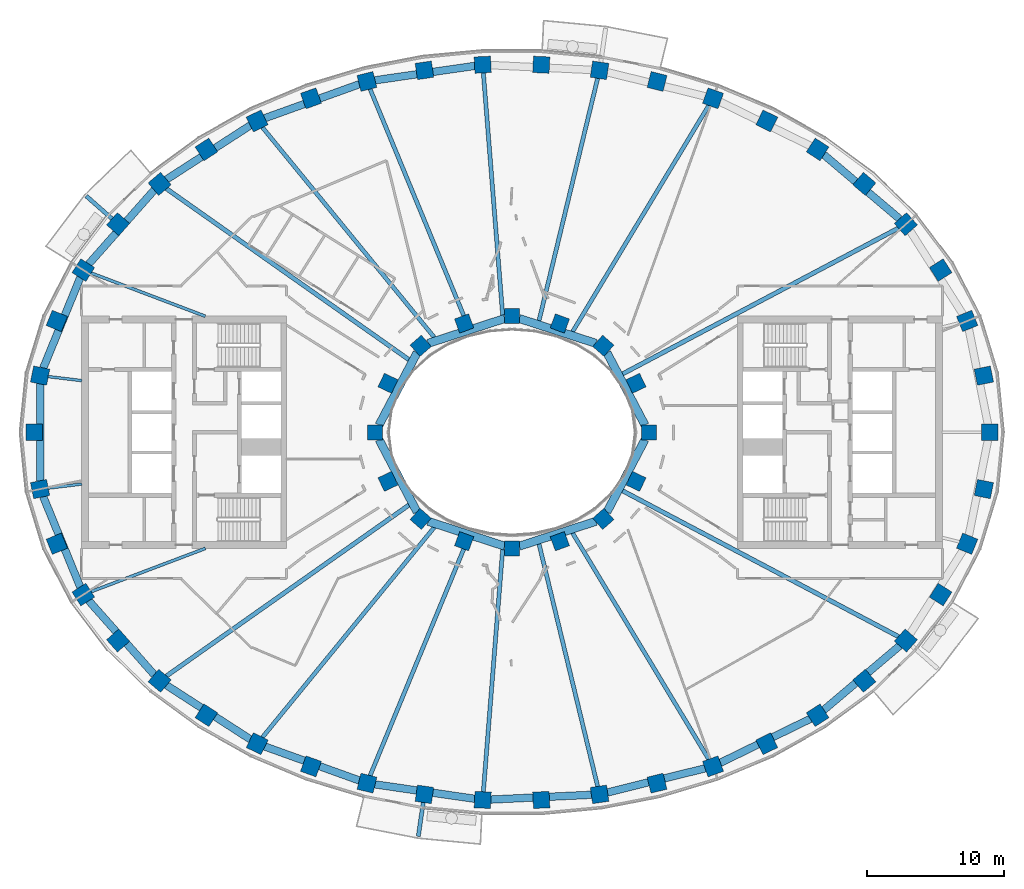
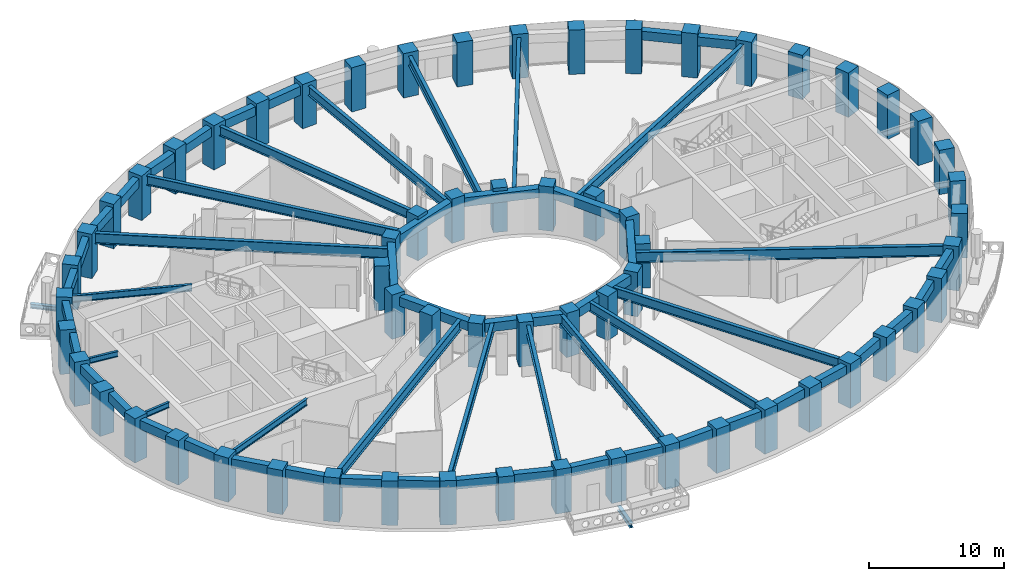
# One storey, part 1 of 16: 62 columns, 44 beams.
"""IFC4 building model written with IfcOpenShell, lengths in metres."""

import ifcopenshell
import ifcopenshell.guid

model = None  # the IFC model being written
_history = None  # IfcOwnerHistory: only IFC2X3 demands one
_inside = {}  # id of a spatial element -> (the spatial element, [elements in it])
_under = {}  # id of a project, library or spatial element -> (it, [spatial elements below it])
_declared = {}  # id of a project -> (the project, [libraries it declares])
_typed = {}  # id of a type object -> (the type object, [elements of that type])
_made_of = {}  # id of a material, layer set ... -> (it, [elements and type objects made of it])


def new_model(schema):
    """Start an empty IFC model of exactly this schema.

    Asked for "IFC4X3", IfcOpenShell would pick the latest addendum, in which some entities
    have other attributes; the version numbers below select the first issue.
    IFC2X3 requires an IfcOwnerHistory on every rooted entity: one is made here for all.
    """
    global model, _history
    if schema == "IFC4X3":
        model = ifcopenshell.file(schema_version=(4, 3, 0, 0))
    else:
        model = ifcopenshell.file(schema=schema)
    _inside.clear()
    _under.clear()
    _declared.clear()
    _typed.clear()
    _made_of.clear()
    _history = None
    if model.schema == "IFC2X3":
        org = make("IfcOrganization", Name="unknown")
        user = make(
            "IfcPersonAndOrganization",
            ThePerson=make("IfcPerson", FamilyName="unknown"),
            TheOrganization=org,
        )
        app = make(
            "IfcApplication",
            ApplicationDeveloper=org,
            Version="unknown",
            ApplicationFullName="unknown",
            ApplicationIdentifier="unknown",
        )
        _history = make(
            "IfcOwnerHistory",
            OwningUser=user,
            OwningApplication=app,
            ChangeAction="ADDED",
            CreationDate=0,
        )
    return model


def make(cls, **values):
    """One entity of the class cls with the attributes given. An attribute that is None is left unset."""
    return model.create_entity(
        cls, **{name: value for name, value in values.items() if value is not None}
    )


def rooted(cls, **values):
    """An entity with a GlobalId (a new one), such as an element, a storey or a relation."""
    return make(cls, GlobalId=ifcopenshell.guid.new(), OwnerHistory=_history, **values)


def si_unit(unit_type, name, prefix=None):
    """IfcSIUnit, for example si_unit("LENGTHUNIT", "METRE", prefix="MILLI")."""
    return make("IfcSIUnit", UnitType=unit_type, Prefix=prefix, Name=name)


def assignment(units):
    """IfcUnitAssignment: the units of a project."""
    return None if units is None else make("IfcUnitAssignment", Units=units)


def point(xyz):
    """IfcCartesianPoint."""
    return None if xyz is None else make("IfcCartesianPoint", Coordinates=xyz)


def direction(xyz):
    """IfcDirection."""
    return None if xyz is None else make("IfcDirection", DirectionRatios=xyz)


def frame(location, z_axis=None, x_axis=None):
    """IfcAxis2Placement3D, a coordinate frame: its origin and axes. An axis left out is left unset."""
    return make(
        "IfcAxis2Placement3D",
        Location=point(location),
        Axis=direction(z_axis),
        RefDirection=direction(x_axis),
    )


def frame_2d(location, x_axis=None):
    """IfcAxis2Placement2D, a coordinate frame in the plane: its origin and x axis."""
    return make(
        "IfcAxis2Placement2D", Location=point(location), RefDirection=direction(x_axis)
    )


def origin():
    """The frame at (0, 0, 0) with its axes left unset."""
    return frame((0.0, 0.0, 0.0))


def origin_2d():
    """The frame at (0, 0) in the plane with its x axis left unset."""
    return frame_2d((0.0, 0.0))


def place(relative_to, where):
    """IfcLocalPlacement: puts the frame where relative to a parent placement (None: the world)."""
    return make(
        "IfcLocalPlacement", PlacementRelTo=relative_to, RelativePlacement=where
    )


def context(
    kind, dimensions, precision=None, world=None, true_north=None, identifier=None
):
    """IfcGeometricRepresentationContext, for example the 3D "Model" context."""
    return make(
        "IfcGeometricRepresentationContext",
        ContextIdentifier=identifier,
        ContextType=kind,
        CoordinateSpaceDimension=dimensions,
        Precision=precision,
        WorldCoordinateSystem=world,
        TrueNorth=true_north,
    )


def subcontext(parent, identifier, kind, view, scale=None):
    """IfcGeometricRepresentationSubContext, for example "Body" below "Model"."""
    return make(
        "IfcGeometricRepresentationSubContext",
        ContextIdentifier=identifier,
        ContextType=kind,
        ParentContext=parent,
        TargetScale=scale,
        TargetView=view,
    )


def project(units=None, contexts=None):
    """IfcProject with its units and contexts."""
    return rooted(
        "IfcProject",
        Name="project",
        RepresentationContexts=contexts,
        UnitsInContext=assignment(units),
    )


def spatial(cls, under=None, at=None, **own):
    """A site, building, storey or space (cls), placed at a placement, below another one or the project."""
    s = rooted(cls, ObjectPlacement=at, **own)
    if under is not None:
        _under.setdefault(under.id(), (under, []))[1].append(s)
    return s


def profile(cls, at=None, kind="AREA", **sizes):
    """A parametric profile (cls). Its sizes go by their IFC names, for example OverallWidth=200.0."""
    return make(cls, ProfileType=kind, Position=at, **sizes)


def rectangle(**sizes):
    """IfcRectangleProfileDef."""
    return profile("IfcRectangleProfileDef", **sizes)


def i_section(**sizes):
    """IfcIShapeProfileDef."""
    return profile("IfcIShapeProfileDef", **sizes)


def extrude(swept, where, along, depth):
    """IfcExtrudedAreaSolid: the profile swept, set in the frame where, extruded along a direction by depth."""
    return make(
        "IfcExtrudedAreaSolid",
        SweptArea=swept,
        Position=where,
        ExtrudedDirection=direction(along),
        Depth=depth,
    )


def shape(context_of_items, identifier, shape_type, items):
    """IfcShapeRepresentation: the items that make up one representation, for example the "Body"."""
    return make(
        "IfcShapeRepresentation",
        ContextOfItems=context_of_items,
        RepresentationIdentifier=identifier,
        RepresentationType=shape_type,
        Items=items,
    )


def material(Name=None, Category=None):
    """IfcMaterial."""
    return make("IfcMaterial", Name=Name, Category=Category)


def material_profile(
    of_material, cross_section, Name=None, Category=None, Priority=None
):
    """IfcMaterialProfile: a cross section and its material."""
    return make(
        "IfcMaterialProfile",
        Name=Name,
        Material=of_material,
        Profile=cross_section,
        Priority=Priority,
        Category=Category,
    )


def profile_set(profiles, Name=None, composite=None):
    """IfcMaterialProfileSet."""
    return make(
        "IfcMaterialProfileSet",
        Name=Name,
        MaterialProfiles=profiles,
        CompositeProfile=composite,
    )


def made_of(thing, what):
    """Note that an element or type object is made of a material, layer set ...; save() writes the relation."""
    if what is not None:
        _made_of.setdefault(what.id(), (what, []))[1].append(thing)
    return thing


def type_object(cls, material=None, **own):
    """A type object (cls), such as IfcWallType, which elements share."""
    return made_of(rooted(cls, **own), material)


def element(
    cls,
    number,
    at=None,
    inside=None,
    cuts=None,
    type_object=None,
    material=None,
    context=None,
    identifier="Body",
    shape_type=None,
    held_by="IfcProductDefinitionShape",
    body=None,
    shapes=None,
    **own,
):
    """One element of the class cls, such as IfcWall. Its Tag is "e" and its number.

    at: its placement. inside: the storey or other place that contains it. cuts: it is an
    opening in that element (IfcRelVoidsElement). A single representation is given by context,
    identifier, shape_type and body (its items); several are given by shapes. held_by: the class
    of the entity that holds the representations. save() writes the other relations.
    """
    e = rooted(cls, Tag="e%d" % number, ObjectPlacement=at, **own)
    if body is not None:
        shapes = [shape(context, identifier, shape_type, body)]
    if shapes is not None:
        e.Representation = make(held_by, Representations=shapes)
    if inside is not None:
        _inside.setdefault(inside.id(), (inside, []))[1].append(e)
    if cuts is not None:
        rooted(
            "IfcRelVoidsElement", RelatingBuildingElement=cuts, RelatedOpeningElement=e
        )
    if type_object is not None:
        _typed.setdefault(type_object.id(), (type_object, []))[1].append(e)
    return made_of(e, material)


def aggregate(whole, parts):
    """IfcRelAggregates: a whole, such as a stair, and the parts it consists of."""
    return rooted("IfcRelAggregates", RelatingObject=whole, RelatedObjects=parts)


def save(model, path):
    """Write the relations noted so far, then the file.

    IfcRelAggregates (storeys below a building ...), IfcRelContainedInSpatialStructure (elements
    in a storey), IfcRelDefinesByType, IfcRelAssociatesMaterial and IfcRelDeclares: one each for
    every whole, place, type object, material and project.
    """
    for whole, parts in _under.values():
        aggregate(whole, parts)
    for where, things in _inside.values():
        rooted(
            "IfcRelContainedInSpatialStructure",
            RelatedElements=things,
            RelatingStructure=where,
        )
    for kind, things in _typed.values():
        rooted("IfcRelDefinesByType", RelatedObjects=things, RelatingType=kind)
    for what, things in _made_of.values():
        rooted("IfcRelAssociatesMaterial", RelatedObjects=things, RelatingMaterial=what)
    for by, libraries in _declared.values():
        rooted("IfcRelDeclares", RelatingContext=by, RelatedDefinitions=libraries)
    model.write(path)


model = new_model("IFC4")

# Units and contexts
model_context = context("Model", 3, precision=1e-05, world=origin(), true_north=direction((0.0, 1.0)))
body_context = subcontext(model_context, "Body", "Model", "MODEL_VIEW")
ifc_project = project(units=[si_unit("LENGTHUNIT", "METRE"), si_unit("AREAUNIT", "SQUARE_METRE"), si_unit("VOLUMEUNIT", "CUBIC_METRE"), si_unit("PLANEANGLEUNIT", "RADIAN"), si_unit("MASSUNIT", "GRAM", prefix="KILO")], contexts=[model_context])

# Site, building, storey
site_placement = place(None, origin())
site = spatial("IfcSite", under=ifc_project, at=site_placement, CompositionType="ELEMENT")
building_placement = place(site_placement, origin())
building = spatial("IfcBuilding", under=site, at=building_placement, Name="Noorbagh Ring Tower", CompositionType="ELEMENT")
storey_placement = place(building_placement, frame((0.0, 0.0, 154.0)))
storey = spatial("IfcBuildingStorey", under=building, at=storey_placement, Name="L35", CompositionType="ELEMENT", Elevation=154.0)

# Columns
ifc_material_1 = material(Name="Concrete C60/75", Category="concrete")
ifc_material_profile_1 = material_profile(ifc_material_1, rectangle(XDim=1.199951171875, YDim=1.199951171875, at=origin_2d()), Name="RC1200x1200")
ifc_profile_set_1 = profile_set([ifc_material_profile_1], Name="Concrete C60/75")
column_type_1 = type_object("IfcColumnType", Name="STR-COL-RC1200x1200-C60-75", PredefinedType="COLUMN", material=ifc_profile_set_1)
for number, where, z_axis, x_axis, name in (
    (1, (34.944580078125, 0.0, 0.0), (0.0, 0.0, 1.0), (0.0, 1.0, 0.0), "L35/col/R1-01"),
    (2, (34.52685546875, 4.150634765625, 0.0), (0.0, 0.0, 1.0), (-0.19723040178, 0.9803571638, 0.0), "L35/col/R1-02"),
    (3, (33.30517578125, 8.1494140625, 0.0), (0.0, 0.0, 1.0), (-0.378989499959, 0.925400971969, 0.0), "L35/col/R1-03"),
    (4, (31.364990234375, 11.87109375, 0.0), (0.0, 0.0, 1.0), (-0.535190403059, 0.844731455833, 0.0), "L35/col/R1-04"),
    (5, (28.81884765625, 15.23046875, 0.0), (0.0, 0.0, 1.0), (-0.662635642662, 0.748941923699, 0.0), "L35/col/R1-05"),
    (6, (25.78271484375, 18.180419921875, 0.0), (0.0, 0.0, 1.0), (-0.763035199656, 0.646356932419, 0.0), "L35/col/R1-06"),
    (7, (22.362060546875, 20.699951171875, 0.0), (0.0, 0.0, 1.0), (-0.840247639643, 0.542202825586, 0.0), "L35/col/R1-07"),
    (8, (18.646240234375, 22.785400390625, 0.0), (0.0, 0.0, 1.0), (-0.898399080868, 0.439180021741, 0.0), "L35/col/R1-08"),
    (9, (14.70947265625, 24.44091796875, 0.0), (0.0, 0.0, 1.0), (-0.941024726094, 0.338337797003, 0.0), "L35/col/R1-09"),
    (10, (10.61328125, 25.673583984375, 0.0), (0.0, 0.0, 1.0), (-0.970829360981, 0.239771457553, 0.0), "L35/col/R1-10"),
    (11, (6.4091796875, 26.49072265625, 0.0), (0.0, 0.0, 1.0), (-0.989713114048, 0.143066249975, 0.0), "L35/col/R1-11"),
    (12, (2.14306640625, 26.89794921875, 0.0), (0.0, 0.0, 1.0), (-0.998868731212, 0.047552684538, 0.0), "L35/col/R1-12"),
    (13, (-2.14306640625, 26.89794921875, 0.0), (0.0, 0.0, 1.0), (-0.998868731212, -0.047552684538, 0.0), "L35/col/R1-13"),
    (14, (-6.4091796875, 26.49072265625, 0.0), (0.0, 0.0, 1.0), (-0.989713114048, -0.143066249975, 0.0), "L35/col/R1-14"),
    (15, (-10.61328125, 25.673583984375, 0.0), (0.0, 0.0, 1.0), (-0.970829360981, -0.239771457553, 0.0), "L35/col/R1-15"),
    (16, (-14.70947265625, 24.44091796875, 0.0), (0.0, 0.0, 1.0), (-0.941024726094, -0.338337797003, 0.0), "L35/col/R1-16"),
    (17, (-18.646240234375, 22.785400390625, 0.0), (0.0, 0.0, 1.0), (-0.898399080868, -0.439180021741, 0.0), "L35/col/R1-17"),
    (18, (-22.362060546875, 20.699951171875, 0.0), (0.0, 0.0, 1.0), (-0.840247639643, -0.542202825586, 0.0), "L35/col/R1-18"),
    (19, (-25.78271484375, 18.180419921875, 0.0), (0.0, 0.0, 1.0), (-0.763035199656, -0.646356932419, 0.0), "L35/col/R1-19"),
    (20, (-28.81884765625, 15.23046875, 0.0), (0.0, 0.0, 1.0), (-0.662635642662, -0.748941923699, 0.0), "L35/col/R1-20"),
    (21, (-31.364990234375, 11.87109375, 0.0), (0.0, 0.0, 1.0), (-0.535190403059, -0.844731455833, 0.0), "L35/col/R1-21"),
    (22, (-33.30517578125, 8.1494140625, 0.0), (0.0, 0.0, 1.0), (-0.378989499959, -0.925400971969, 0.0), "L35/col/R1-22"),
    (23, (-34.52685546875, 4.150634765625, 0.0), (0.0, 0.0, 1.0), (-0.19723040178, -0.9803571638, 0.0), "L35/col/R1-23"),
    (24, (-34.944580078125, 0.0, 0.0), (0.0, 0.0, 1.0), (0.0, -1.0, 0.0), "L35/col/R1-24"),
    (25, (-34.52685546875, -4.150634765625, 0.0), (0.0, 0.0, 1.0), (0.19723040178, -0.9803571638, 0.0), "L35/col/R1-25"),
    (26, (-33.30517578125, -8.1494140625, 0.0), (0.0, 0.0, 1.0), (0.378989499959, -0.925400971969, 0.0), "L35/col/R1-26"),
    (27, (-31.364990234375, -11.87109375, 0.0), (0.0, 0.0, 1.0), (0.535190403059, -0.844731455833, 0.0), "L35/col/R1-27"),
    (28, (-28.81884765625, -15.23046875, 0.0), (0.0, 0.0, 1.0), (0.662635642662, -0.748941923699, 0.0), "L35/col/R1-28"),
    (29, (-25.78271484375, -18.180419921875, 0.0), (0.0, 0.0, 1.0), (0.763035199656, -0.646356932419, 0.0), "L35/col/R1-29"),
    (30, (-22.362060546875, -20.699951171875, 0.0), (0.0, 0.0, 1.0), (0.840247639643, -0.542202825586, 0.0), "L35/col/R1-30"),
    (31, (-18.646240234375, -22.785400390625, 0.0), (0.0, 0.0, 1.0), (0.898399080868, -0.439180021741, 0.0), "L35/col/R1-31"),
    (32, (-14.70947265625, -24.44091796875, 0.0), (0.0, 0.0, 1.0), (0.941024726094, -0.338337797003, 0.0), "L35/col/R1-32"),
    (33, (-10.61328125, -25.673583984375, 0.0), (0.0, 0.0, 1.0), (0.970829360981, -0.239771457553, 0.0), "L35/col/R1-33"),
    (34, (-6.4091796875, -26.49072265625, 0.0), (0.0, 0.0, 1.0), (0.989713114048, -0.143066249975, 0.0), "L35/col/R1-34"),
    (35, (-2.14306640625, -26.89794921875, 0.0), (0.0, 0.0, 1.0), (0.998868731212, -0.047552684538, 0.0), "L35/col/R1-35"),
    (36, (2.14306640625, -26.89794921875, 0.0), (0.0, 0.0, 1.0), (0.998868731212, 0.047552684538, 0.0), "L35/col/R1-36"),
    (37, (6.4091796875, -26.49072265625, 0.0), (0.0, 0.0, 1.0), (0.989713114048, 0.143066249975, 0.0), "L35/col/R1-37"),
    (38, (10.61328125, -25.673583984375, 0.0), (0.0, 0.0, 1.0), (0.970829360981, 0.239771457553, 0.0), "L35/col/R1-38"),
    (39, (14.70947265625, -24.44091796875, 0.0), (0.0, 0.0, 1.0), (0.941024726094, 0.338337797003, 0.0), "L35/col/R1-39"),
    (40, (18.646240234375, -22.785400390625, 0.0), (0.0, 0.0, 1.0), (0.898399080868, 0.439180021741, 0.0), "L35/col/R1-40"),
    (41, (22.362060546875, -20.699951171875, 0.0), (0.0, 0.0, 1.0), (0.840247639643, 0.542202825586, 0.0), "L35/col/R1-41"),
    (42, (25.78271484375, -18.180419921875, 0.0), (0.0, 0.0, 1.0), (0.763035199656, 0.646356932419, 0.0), "L35/col/R1-42"),
    (43, (28.81884765625, -15.23046875, 0.0), (0.0, 0.0, 1.0), (0.662635642662, 0.748941923699, 0.0), "L35/col/R1-43"),
    (44, (31.364990234375, -11.87109375, 0.0), (0.0, 0.0, 1.0), (0.535190403059, 0.844731455833, 0.0), "L35/col/R1-44"),
    (45, (33.30517578125, -8.1494140625, 0.0), (0.0, 0.0, 1.0), (0.378989499959, 0.925400971969, 0.0), "L35/col/R1-45"),
    (46, (34.52685546875, -4.150634765625, 0.0), (0.0, 0.0, 1.0), (0.19723040178, 0.9803571638, 0.0), "L35/col/R1-46"),
):
    element("IfcColumn", number, at=place(storey_placement, frame(where, z_axis=z_axis, x_axis=x_axis)), inside=storey, type_object=column_type_1, Name=name, PredefinedType="COLUMN", context=body_context, shape_type="SweptSolid", body=[
        extrude(rectangle(XDim=1.199951171875, YDim=1.199951171875, at=origin_2d()), origin(), (0.0, 0.0, 1.0), 4.0),
    ])
ifc_material_2 = material(Name="Concrete C60/75", Category="concrete")
ifc_material_profile_2 = material_profile(ifc_material_2, rectangle(XDim=1.10009765625, YDim=1.10009765625, at=origin_2d()), Name="RC1100x1100")
ifc_profile_set_2 = profile_set([ifc_material_profile_2], Name="Concrete C60/75")
column_type_2 = type_object("IfcColumnType", Name="STR-ICOL-RC1100x1100-C60-75", PredefinedType="COLUMN", material=ifc_profile_set_2)
for number, where, z_axis, x_axis, name in (
    (47, (10.00830078125, 0.0, 0.0), (0.0, 0.0, 1.0), (0.0, 1.0, 0.0), "L35/col/IR2-W01"),
    (48, (9.07568359375, 3.58837890625, 0.0), (0.0, 0.0, 1.0), (-0.428666979171, 0.903462573087, 0.0), "L35/col/IR2-W03"),
    (49, (6.68212890625, 6.333740234375, 0.0), (0.0, 0.0, 1.0), (-0.75102249095, 0.660276622399, 0.0), "L35/col/IR2-W05"),
    (50, (3.5009765625, 7.967041015625, 0.0), (0.0, 0.0, 1.0), (-0.939019578916, 0.343863679984, 0.0), "L35/col/IR2-W07"),
    (51, (0.0, 8.5029296875, 0.0), (0.0, 0.0, 1.0), (-1.0, 0.0, 0.0), "L35/col/IR2-W09"),
    (52, (-3.5009765625, 7.967041015625, 0.0), (0.0, 0.0, 1.0), (-0.939019578916, -0.343863679984, 0.0), "L35/col/IR2-W11"),
    (53, (-6.68212890625, 6.333740234375, 0.0), (0.0, 0.0, 1.0), (-0.75102249095, -0.660276622399, 0.0), "L35/col/IR2-W13"),
    (54, (-9.07568359375, 3.58837890625, 0.0), (0.0, 0.0, 1.0), (-0.428666979171, -0.903462573087, 0.0), "L35/col/IR2-W15"),
    (55, (-10.00830078125, 0.0, 0.0), (0.0, 0.0, 1.0), (0.0, -1.0, 0.0), "L35/col/IR2-W17"),
    (56, (-9.07568359375, -3.58837890625, 0.0), (0.0, 0.0, 1.0), (0.428666979171, -0.903462573087, 0.0), "L35/col/IR2-W19"),
    (57, (-6.68212890625, -6.333740234375, 0.0), (0.0, 0.0, 1.0), (0.75102249095, -0.660276622399, 0.0), "L35/col/IR2-W21"),
    (58, (-3.5009765625, -7.967041015625, 0.0), (0.0, 0.0, 1.0), (0.939019578916, -0.343863679984, 0.0), "L35/col/IR2-W23"),
    (59, (0.0, -8.5029296875, 0.0), (0.0, 0.0, 1.0), (1.0, 0.0, 0.0), "L35/col/IR2-W25"),
    (60, (3.5009765625, -7.967041015625, 0.0), (0.0, 0.0, 1.0), (0.939019578916, 0.343863679984, 0.0), "L35/col/IR2-W27"),
    (61, (6.68212890625, -6.333740234375, 0.0), (0.0, 0.0, 1.0), (0.75102249095, 0.660276622399, 0.0), "L35/col/IR2-W29"),
    (62, (9.07568359375, -3.58837890625, 0.0), (0.0, 0.0, 1.0), (0.428666979171, 0.903462573087, 0.0), "L35/col/IR2-W31"),
):
    element("IfcColumn", number, at=place(storey_placement, frame(where, z_axis=z_axis, x_axis=x_axis)), inside=storey, type_object=column_type_2, Name=name, PredefinedType="COLUMN", context=body_context, shape_type="SweptSolid", body=[
        extrude(rectangle(XDim=1.10009765625, YDim=1.10009765625, at=origin_2d()), origin(), (0.0, 0.0, 1.0), 4.0),
    ])

# Beams
ifc_material_3 = material(Name="Steel S355", Category="steel")
ifc_material_profile_3 = material_profile(ifc_material_3, i_section(OverallWidth=0.300048828125, OverallDepth=0.39990234375, WebThickness=0.013427734375, FlangeThickness=0.02392578125, FilletRadius=0.027099609375, at=origin_2d()), Name="HEB400")
ifc_profile_set_3 = profile_set([ifc_material_profile_3], Name="Steel S355")
beam_type_1 = type_object("IfcBeamType", Name="STR-BALCONY-BRACKET-HEB400", PredefinedType="BEAM", material=ifc_profile_set_3)
beam_1_placement = place(storey_placement, frame((-29.253173828125, 15.61474609375, -0.5), z_axis=(-0.749068405178, 0.662492659856, 0.0), x_axis=(-0.662492659856, -0.749068405178, 0.0)))
element("IfcBeam", 63, at=beam_1_placement, inside=storey, type_object=beam_type_1, Name="Balcony bracket beam BN06", PredefinedType="BEAM", context=body_context, shape_type="SweptSolid", body=[
    extrude(i_section(OverallWidth=0.300048828125, OverallDepth=0.39990234375, WebThickness=0.013427734375, FlangeThickness=0.02392578125, FilletRadius=0.027099609375, at=origin_2d()), origin(), (0.0, 0.0, 1.0), 2.529541015625),
])
beam_2_placement = place(storey_placement, frame((-6.4921875, -27.06494140625, -0.5), z_axis=(-0.143073420259, -0.989712077533, 0.0), x_axis=(0.989712077533, -0.143073420259, 0.0)))
element("IfcBeam", 64, at=beam_2_placement, inside=storey, type_object=beam_type_1, Name="Balcony bracket beam BS03", PredefinedType="BEAM", context=body_context, shape_type="SweptSolid", body=[
    extrude(i_section(OverallWidth=0.300048828125, OverallDepth=0.39990234375, WebThickness=0.013427734375, FlangeThickness=0.02392578125, FilletRadius=0.027099609375, at=origin_2d()), origin(), (0.0, 0.0, 1.0), 2.523681640625),
])
ifc_material_4 = material(Name="Steel S355", Category="steel")
ifc_material_profile_4 = material_profile(ifc_material_4, i_section(OverallWidth=0.199951171875, OverallDepth=0.5, WebThickness=0.01025390625, FlangeThickness=0.01611328125, FilletRadius=0.02099609375, at=origin_2d()), Name="IPE500")
ifc_profile_set_4 = profile_set([ifc_material_profile_4], Name="Steel S355")
beam_type_2 = type_object("IfcBeamType", Name="STR-RAD-IPE500", PredefinedType="BEAM", material=ifc_profile_set_4)
for number, where, z_axis, x_axis, name in (
    (65, (-33.948974609375, 4.081298828125, 3.449951171875), (0.992847073299, -0.119393002485, 0.0), (0.119393002485, 0.992847073299, 0.0), "L35/bm/RD23"),
    (66, (-33.948974609375, -4.081298828125, 3.449951171875), (0.992847073299, 0.119393002485, 0.0), (-0.119393002485, 0.992847073299, 0.0), "L35/bm/RD25"),
):
    element("IfcBeam", number, at=place(storey_placement, frame(where, z_axis=z_axis, x_axis=x_axis)), inside=storey, type_object=beam_type_2, Name=name, PredefinedType="BEAM", context=body_context, shape_type="SweptSolid", body=[
        extrude(i_section(OverallWidth=0.199951171875, OverallDepth=0.5, WebThickness=0.01025390625, FlangeThickness=0.01611328125, FilletRadius=0.02099609375, at=origin_2d()), origin(), (0.0, 0.0, 1.0), 2.486572265625),
    ])
ifc_material_5 = material(Name="Steel S355", Category="steel")
ifc_material_profile_5 = material_profile(ifc_material_5, i_section(OverallWidth=0.219970703125, OverallDepth=0.60009765625, WebThickness=0.011962890625, FlangeThickness=0.01904296875, FilletRadius=0.02392578125, at=origin_2d()), Name="IPE600")
ifc_profile_set_5 = profile_set([ifc_material_profile_5], Name="Steel S355")
beam_type_3 = type_object("IfcBeamType", Name="STR-RAD-IPE600", PredefinedType="BEAM", material=ifc_profile_set_5)
for number, where, z_axis, x_axis, name in (
    (67, (-30.810791015625, 11.6611328125, 3.39990234375), (0.935257705558, -0.35396754681, 0.0), (0.35396754681, 0.935257705558, 0.0), "L35/bm/RD21"),
    (68, (-30.810791015625, -11.6611328125, 3.39990234375), (0.935257705558, 0.35396754681, 0.0), (-0.35396754681, 0.935257705558, 0.0), "L35/bm/RD27"),
):
    element("IfcBeam", number, at=place(storey_placement, frame(where, z_axis=z_axis, x_axis=x_axis)), inside=storey, type_object=beam_type_3, Name=name, PredefinedType="BEAM", context=body_context, shape_type="SweptSolid", body=[
        extrude(i_section(OverallWidth=0.219970703125, OverallDepth=0.60009765625, WebThickness=0.011962890625, FlangeThickness=0.01904296875, FilletRadius=0.02392578125, at=origin_2d()), origin(), (0.0, 0.0, 1.0), 8.95068359375),
    ])
ifc_material_6 = material(Name="Steel S355", Category="steel")
ifc_material_profile_6 = material_profile(ifc_material_6, i_section(OverallWidth=0.300048828125, OverallDepth=0.85009765625, WebThickness=0.013916015625, FlangeThickness=0.028076171875, at=origin_2d()), Name="PG850x300x14x28")
ifc_profile_set_6 = profile_set([ifc_material_profile_6], Name="Steel S355")
beam_type_4 = type_object("IfcBeamType", Name="STR-RAD-PG850x300x14x28", PredefinedType="BEAM", material=ifc_profile_set_6)
beam_3_placement = place(storey_placement, frame((14.404296875, 23.933837890625, 3.27490234375), z_axis=(-0.515653442321, -0.856797249892, 0.0), x_axis=(0.856797249892, -0.515653442321, 0.0)))
element("IfcBeam", 69, at=beam_3_placement, inside=storey, type_object=beam_type_4, Name="L35/bm/RD09", PredefinedType="BEAM", context=body_context, shape_type="SweptSolid", body=[
    extrude(i_section(OverallWidth=0.300048828125, OverallDepth=0.85009765625, WebThickness=0.013916015625, FlangeThickness=0.028076171875, at=origin_2d()), origin(), (0.0, 0.0, 1.0), 19.343994140625),
])
beam_4_placement = place(storey_placement, frame((6.272216796875, 25.924560546875, 3.27490234375), z_axis=(-0.235159659646, -0.971956755455, 0.0), x_axis=(0.971956755455, -0.235159659646, 0.0)))
element("IfcBeam", 70, at=beam_4_placement, inside=storey, type_object=beam_type_4, Name="L35/bm/RD11", PredefinedType="BEAM", context=body_context, shape_type="SweptSolid", body=[
    extrude(i_section(OverallWidth=0.300048828125, OverallDepth=0.85009765625, WebThickness=0.013916015625, FlangeThickness=0.028076171875, at=origin_2d()), origin(), (0.0, 0.0, 1.0), 18.280517578125),
])
beam_5_placement = place(storey_placement, frame((-2.09716796875, 26.319580078125, 3.27490234375), z_axis=(0.079428488964, -0.996840566561, 0.0), x_axis=(0.996840566561, 0.079428488964, 0.0)))
element("IfcBeam", 71, at=beam_5_placement, inside=storey, type_object=beam_type_4, Name="L35/bm/RD13", PredefinedType="BEAM", context=body_context, shape_type="SweptSolid", body=[
    extrude(i_section(OverallWidth=0.300048828125, OverallDepth=0.85009765625, WebThickness=0.013916015625, FlangeThickness=0.028076171875, at=origin_2d()), origin(), (0.0, 0.0, 1.0), 17.7998046875),
])
beam_6_placement = place(storey_placement, frame((-10.388916015625, 25.13134765625, 3.27490234375), z_axis=(0.382025650428, -0.924151720452, 0.0), x_axis=(0.924151720452, 0.382025650428, 0.0)))
element("IfcBeam", 72, at=beam_6_placement, inside=storey, type_object=beam_type_4, Name="L35/bm/RD15", PredefinedType="BEAM", context=body_context, shape_type="SweptSolid", body=[
    extrude(i_section(OverallWidth=0.300048828125, OverallDepth=0.85009765625, WebThickness=0.013916015625, FlangeThickness=0.028076171875, at=origin_2d()), origin(), (0.0, 0.0, 1.0), 18.80078125),
])
for number, where, z_axis, x_axis, name in (
    (73, (-18.2685546875, 22.32373046875, 3.27490234375), (0.633310075039, -0.773898151474, 0.0), (0.773898151474, 0.633310075039, 0.0), "L35/bm/RD17"),
    (74, (-18.2685546875, -22.32373046875, 3.27490234375), (0.633310075039, 0.773898151474, 0.0), (-0.773898151474, 0.633310075039, 0.0), "L35/bm/RD31"),
):
    element("IfcBeam", number, at=place(storey_placement, frame(where, z_axis=z_axis, x_axis=x_axis)), inside=storey, type_object=beam_type_4, Name=name, PredefinedType="BEAM", context=body_context, shape_type="SweptSolid", body=[
        extrude(i_section(OverallWidth=0.300048828125, OverallDepth=0.85009765625, WebThickness=0.013916015625, FlangeThickness=0.028076171875, at=origin_2d()), origin(), (0.0, 0.0, 1.0), 19.86279296875),
    ])
beam_7_placement = place(storey_placement, frame((-10.388916015625, -25.13134765625, 3.27490234375), z_axis=(0.382025650428, 0.924151720452, 0.0), x_axis=(-0.924151720452, 0.382025650428, 0.0)))
element("IfcBeam", 75, at=beam_7_placement, inside=storey, type_object=beam_type_4, Name="L35/bm/RD33", PredefinedType="BEAM", context=body_context, shape_type="SweptSolid", body=[
    extrude(i_section(OverallWidth=0.300048828125, OverallDepth=0.85009765625, WebThickness=0.013916015625, FlangeThickness=0.028076171875, at=origin_2d()), origin(), (0.0, 0.0, 1.0), 18.80078125),
])
beam_8_placement = place(storey_placement, frame((-2.09716796875, -26.319580078125, 3.27490234375), z_axis=(0.079428488964, 0.996840566561, 0.0), x_axis=(-0.996840566561, 0.079428488964, 0.0)))
element("IfcBeam", 76, at=beam_8_placement, inside=storey, type_object=beam_type_4, Name="L35/bm/RD35", PredefinedType="BEAM", context=body_context, shape_type="SweptSolid", body=[
    extrude(i_section(OverallWidth=0.300048828125, OverallDepth=0.85009765625, WebThickness=0.013916015625, FlangeThickness=0.028076171875, at=origin_2d()), origin(), (0.0, 0.0, 1.0), 17.7998046875),
])
beam_9_placement = place(storey_placement, frame((6.272216796875, -25.924560546875, 3.27490234375), z_axis=(-0.235159659646, 0.971956755455, 0.0), x_axis=(-0.971956755455, -0.235159659646, 0.0)))
element("IfcBeam", 77, at=beam_9_placement, inside=storey, type_object=beam_type_4, Name="L35/bm/RD37", PredefinedType="BEAM", context=body_context, shape_type="SweptSolid", body=[
    extrude(i_section(OverallWidth=0.300048828125, OverallDepth=0.85009765625, WebThickness=0.013916015625, FlangeThickness=0.028076171875, at=origin_2d()), origin(), (0.0, 0.0, 1.0), 18.280517578125),
])
beam_10_placement = place(storey_placement, frame((14.404296875, -23.933837890625, 3.27490234375), z_axis=(-0.515653442321, 0.856797249892, 0.0), x_axis=(-0.856797249892, -0.515653442321, 0.0)))
element("IfcBeam", 78, at=beam_10_placement, inside=storey, type_object=beam_type_4, Name="L35/bm/RD39", PredefinedType="BEAM", context=body_context, shape_type="SweptSolid", body=[
    extrude(i_section(OverallWidth=0.300048828125, OverallDepth=0.85009765625, WebThickness=0.013916015625, FlangeThickness=0.028076171875, at=origin_2d()), origin(), (0.0, 0.0, 1.0), 19.343994140625),
])
ifc_material_7 = material(Name="Steel S355", Category="steel")
ifc_material_profile_7 = material_profile(ifc_material_7, i_section(OverallWidth=0.320068359375, OverallDepth=0.949951171875, WebThickness=0.01611328125, FlangeThickness=0.030029296875, at=origin_2d()), Name="PG950x320x16x30")
ifc_profile_set_7 = profile_set([ifc_material_profile_7], Name="Steel S355")
beam_type_5 = type_object("IfcBeamType", Name="STR-RAD-PG950x320x16x30", PredefinedType="BEAM", material=ifc_profile_set_7)
beam_11_placement = place(storey_placement, frame((28.29052734375, 14.951416015625, 3.22509765625), z_axis=(-0.88411920944, -0.467261408099, 0.0), x_axis=(0.467261408099, -0.88411920944, 0.0)))
element("IfcBeam", 79, at=beam_11_placement, inside=storey, type_object=beam_type_5, Name="L35/bm/RD05", PredefinedType="BEAM", context=body_context, shape_type="SweptSolid", body=[
    extrude(i_section(OverallWidth=0.320068359375, OverallDepth=0.949951171875, WebThickness=0.01611328125, FlangeThickness=0.030029296875, at=origin_2d()), origin(), (0.0, 0.0, 1.0), 22.857421875),
])
for number, where, z_axis, x_axis, name in (
    (80, (-25.29248046875, 17.834716796875, 3.22509765625), (0.817253927646, -0.576277726229, 0.0), (0.576277726229, 0.817253927646, 0.0), "L35/bm/RD19"),
    (81, (-25.29248046875, -17.834716796875, 3.22509765625), (0.817253927646, 0.576277726229, 0.0), (-0.576277726229, 0.817253927646, 0.0), "L35/bm/RD29"),
):
    element("IfcBeam", number, at=place(storey_placement, frame(where, z_axis=z_axis, x_axis=x_axis)), inside=storey, type_object=beam_type_5, Name=name, PredefinedType="BEAM", context=body_context, shape_type="SweptSolid", body=[
        extrude(i_section(OverallWidth=0.320068359375, OverallDepth=0.949951171875, WebThickness=0.01611328125, FlangeThickness=0.030029296875, at=origin_2d()), origin(), (0.0, 0.0, 1.0), 21.728515625),
    ])
beam_12_placement = place(storey_placement, frame((28.29052734375, -14.951416015625, 3.22509765625), z_axis=(-0.88411920944, 0.467261408099, 0.0), x_axis=(-0.467261408099, -0.88411920944, 0.0)))
element("IfcBeam", 82, at=beam_12_placement, inside=storey, type_object=beam_type_5, Name="L35/bm/RD43", PredefinedType="BEAM", context=body_context, shape_type="SweptSolid", body=[
    extrude(i_section(OverallWidth=0.320068359375, OverallDepth=0.949951171875, WebThickness=0.01611328125, FlangeThickness=0.030029296875, at=origin_2d()), origin(), (0.0, 0.0, 1.0), 22.857421875),
])
ifc_material_8 = material(Name="Concrete C40/50", Category="concrete")
ifc_material_profile_8 = material_profile(ifc_material_8, rectangle(XDim=0.60009765625, YDim=0.800048828125, at=origin_2d()), Name="RC600x800")
ifc_profile_set_8 = profile_set([ifc_material_profile_8], Name="Concrete C40/50")
beam_type_6 = type_object("IfcBeamType", Name="STR-RB-RC600x800-C40-50", PredefinedType="BEAM", material=ifc_profile_set_8)
beam_13_placement = place(storey_placement, frame((9.728759765625, 0.5322265625, 3.300048828125), z_axis=(-0.464913857529, 0.885355919999, 0.0), x_axis=(-0.885355919999, -0.464913857529, 0.0)))
element("IfcBeam", 83, at=beam_13_placement, inside=storey, type_object=beam_type_6, Name="L35/bm/RG01", PredefinedType="BEAM", context=body_context, shape_type="SweptSolid", body=[
    extrude(rectangle(XDim=0.60009765625, YDim=0.800048828125, at=origin_2d()), origin(), (0.0, 0.0, 1.0), 5.98388671875),
])
for number, where, z_axis, x_axis, name in (
    (84, (6.13134765625, 6.512451171875, 3.300048828125), (-0.95113365854, 0.308779474046, 0.0), (-0.308779474046, -0.95113365854, 0.0), "L35/bm/RG03"),
    (85, (-0.531005859375, 8.33056640625, 3.300048828125), (-0.95113365854, -0.308779474046, 0.0), (0.308779474046, -0.95113365854, 0.0), "L35/bm/RG05"),
):
    element("IfcBeam", number, at=place(storey_placement, frame(where, z_axis=z_axis, x_axis=x_axis)), inside=storey, type_object=beam_type_6, Name=name, PredefinedType="BEAM", context=body_context, shape_type="SweptSolid", body=[
        extrude(rectangle(XDim=0.60009765625, YDim=0.800048828125, at=origin_2d()), origin(), (0.0, 0.0, 1.0), 5.88818359375),
    ])
for number, where, z_axis, x_axis, name in (
    (86, (-6.94677734375, 5.830078125, 3.300048828125), (-0.464913857529, -0.885355919999, 0.0), (0.885355919999, -0.464913857529, 0.0), "L35/bm/RG07"),
    (87, (-9.728759765625, -0.5322265625, 3.300048828125), (0.464913857529, -0.885355919999, 0.0), (0.885355919999, 0.464913857529, 0.0), "L35/bm/RG09"),
):
    element("IfcBeam", number, at=place(storey_placement, frame(where, z_axis=z_axis, x_axis=x_axis)), inside=storey, type_object=beam_type_6, Name=name, PredefinedType="BEAM", context=body_context, shape_type="SweptSolid", body=[
        extrude(rectangle(XDim=0.60009765625, YDim=0.800048828125, at=origin_2d()), origin(), (0.0, 0.0, 1.0), 5.98388671875),
    ])
for number, where, z_axis, x_axis, name in (
    (88, (-6.13134765625, -6.512451171875, 3.300048828125), (0.95113365854, -0.308779474046, 0.0), (0.308779474046, 0.95113365854, 0.0), "L35/bm/RG11"),
    (89, (0.531005859375, -8.33056640625, 3.300048828125), (0.95113365854, 0.308779474046, 0.0), (-0.308779474046, 0.95113365854, 0.0), "L35/bm/RG13"),
):
    element("IfcBeam", number, at=place(storey_placement, frame(where, z_axis=z_axis, x_axis=x_axis)), inside=storey, type_object=beam_type_6, Name=name, PredefinedType="BEAM", context=body_context, shape_type="SweptSolid", body=[
        extrude(rectangle(XDim=0.60009765625, YDim=0.800048828125, at=origin_2d()), origin(), (0.0, 0.0, 1.0), 5.88818359375),
    ])
beam_14_placement = place(storey_placement, frame((6.94677734375, -5.830078125, 3.300048828125), z_axis=(0.464913857529, 0.885355919999, 0.0), x_axis=(-0.885355919999, 0.464913857529, 0.0)))
element("IfcBeam", 90, at=beam_14_placement, inside=storey, type_object=beam_type_6, Name="L35/bm/RG15", PredefinedType="BEAM", context=body_context, shape_type="SweptSolid", body=[
    extrude(rectangle(XDim=0.60009765625, YDim=0.800048828125, at=origin_2d()), origin(), (0.0, 0.0, 1.0), 5.98388671875),
])
ifc_material_9 = material(Name="Concrete C40/50", Category="concrete")
ifc_material_profile_9 = material_profile(ifc_material_9, rectangle(XDim=0.550048828125, YDim=0.800048828125, at=origin_2d()), Name="RC550x800")
ifc_profile_set_9 = profile_set([ifc_material_profile_9], Name="Concrete C40/50")
beam_type_7 = type_object("IfcBeamType", Name="STR-SB-RC550x800-C40-50", PredefinedType="BEAM", material=ifc_profile_set_9)
beam_15_placement = place(storey_placement, frame((28.37158203125, 15.609375, 3.300048828125), z_axis=(-0.76303051661, 0.646362460792, 0.0), x_axis=(-0.646362460792, -0.76303051661, 0.0)))
element("IfcBeam", 91, at=beam_15_placement, inside=storey, type_object=beam_type_7, Name="L35/bm/SP05", PredefinedType="BEAM", context=body_context, shape_type="SweptSolid", body=[
    extrude(rectangle(XDim=0.550048828125, YDim=0.800048828125, at=origin_2d()), origin(), (0.0, 0.0, 1.0), 7.290771484375),
])
beam_16_placement = place(storey_placement, frame((-2.719970703125, 26.814697265625, 3.300048828125), z_axis=(-0.989712982551, -0.143067159651, 0.0), x_axis=(0.143067159651, -0.989712982551, 0.0)))
element("IfcBeam", 92, at=beam_16_placement, inside=storey, type_object=beam_type_7, Name="L35/bm/SP13", PredefinedType="BEAM", context=body_context, shape_type="SweptSolid", body=[
    extrude(rectangle(XDim=0.550048828125, YDim=0.800048828125, at=origin_2d()), origin(), (0.0, 0.0, 1.0), 7.392333984375),
])
beam_17_placement = place(storey_placement, frame((-11.162109375, 25.476318359375, 3.300048828125), z_axis=(-0.941026272099, -0.338333497041, 0.0), x_axis=(0.338333497041, -0.941026272099, 0.0)))
element("IfcBeam", 93, at=beam_17_placement, inside=storey, type_object=beam_type_7, Name="L35/bm/SP15", PredefinedType="BEAM", context=body_context, shape_type="SweptSolid", body=[
    extrude(rectangle(XDim=0.550048828125, YDim=0.800048828125, at=origin_2d()), origin(), (0.0, 0.0, 1.0), 7.36962890625),
])
beam_18_placement = place(storey_placement, frame((-19.13720703125, 22.468505859375, 3.300048828125), z_axis=(-0.840250107942, -0.542199000463, 0.0), x_axis=(0.542199000463, -0.840250107942, 0.0)))
element("IfcBeam", 94, at=beam_18_placement, inside=storey, type_object=beam_type_7, Name="L35/bm/SP17", PredefinedType="BEAM", context=body_context, shape_type="SweptSolid", body=[
    extrude(rectangle(XDim=0.550048828125, YDim=0.800048828125, at=origin_2d()), origin(), (0.0, 0.0, 1.0), 7.32373046875),
])
beam_19_placement = place(storey_placement, frame((-26.171142578125, 17.7412109375, 3.300048828125), z_axis=(-0.662637815304, -0.748940001422, 0.0), x_axis=(0.748940001422, -0.662637815304, 0.0)))
element("IfcBeam", 95, at=beam_19_placement, inside=storey, type_object=beam_type_7, Name="L35/bm/SP19", PredefinedType="BEAM", context=body_context, shape_type="SweptSolid", body=[
    extrude(rectangle(XDim=0.550048828125, YDim=0.800048828125, at=origin_2d()), origin(), (0.0, 0.0, 1.0), 7.25048828125),
])
beam_20_placement = place(storey_placement, frame((-31.58837890625, 11.325439453125, 3.300048828125), z_axis=(-0.378983224539, -0.925403541985, 0.0), x_axis=(0.925403541985, -0.378983224539, 0.0)))
element("IfcBeam", 96, at=beam_20_placement, inside=storey, type_object=beam_type_7, Name="L35/bm/SP21", PredefinedType="BEAM", context=body_context, shape_type="SweptSolid", body=[
    extrude(rectangle(XDim=0.550048828125, YDim=0.800048828125, at=origin_2d()), origin(), (0.0, 0.0, 1.0), 7.162109375),
])
beam_21_placement = place(storey_placement, frame((-34.52685546875, 3.55859375, 3.300048828125), z_axis=(0.0, -1.0, 0.0), x_axis=(1.0, 0.0, 0.0)))
element("IfcBeam", 97, at=beam_21_placement, inside=storey, type_object=beam_type_7, Name="L35/bm/SP23", PredefinedType="BEAM", context=body_context, shape_type="SweptSolid", body=[
    extrude(rectangle(XDim=0.550048828125, YDim=0.800048828125, at=origin_2d()), origin(), (0.0, 0.0, 1.0), 7.1171875),
])
beam_22_placement = place(storey_placement, frame((-34.302734375, -4.697509765625, 3.300048828125), z_axis=(0.378983224539, -0.925403541985, 0.0), x_axis=(0.925403541985, 0.378983224539, 0.0)))
element("IfcBeam", 98, at=beam_22_placement, inside=storey, type_object=beam_type_7, Name="L35/bm/SP25", PredefinedType="BEAM", context=body_context, shape_type="SweptSolid", body=[
    extrude(rectangle(XDim=0.550048828125, YDim=0.800048828125, at=origin_2d()), origin(), (0.0, 0.0, 1.0), 7.162109375),
])
beam_23_placement = place(storey_placement, frame((-30.9755859375, -12.31103515625, 3.300048828125), z_axis=(0.662637815304, -0.748940001422, 0.0), x_axis=(0.748940001422, 0.662637815304, 0.0)))
element("IfcBeam", 99, at=beam_23_placement, inside=storey, type_object=beam_type_7, Name="L35/bm/SP27", PredefinedType="BEAM", context=body_context, shape_type="SweptSolid", body=[
    extrude(rectangle(XDim=0.550048828125, YDim=0.800048828125, at=origin_2d()), origin(), (0.0, 0.0, 1.0), 7.25048828125),
])
beam_24_placement = place(storey_placement, frame((-25.291015625, -18.49755859375, 3.300048828125), z_axis=(0.840250107942, -0.542199000463, 0.0), x_axis=(0.542199000463, 0.840250107942, 0.0)))
element("IfcBeam", 100, at=beam_24_placement, inside=storey, type_object=beam_type_7, Name="L35/bm/SP29", PredefinedType="BEAM", context=body_context, shape_type="SweptSolid", body=[
    extrude(rectangle(XDim=0.550048828125, YDim=0.800048828125, at=origin_2d()), origin(), (0.0, 0.0, 1.0), 7.32373046875),
])
beam_25_placement = place(storey_placement, frame((-18.09716796875, -22.98291015625, 3.300048828125), z_axis=(0.941026272099, -0.338333497041, 0.0), x_axis=(0.338333497041, 0.941026272099, 0.0)))
element("IfcBeam", 101, at=beam_25_placement, inside=storey, type_object=beam_type_7, Name="L35/bm/SP31", PredefinedType="BEAM", context=body_context, shape_type="SweptSolid", body=[
    extrude(rectangle(XDim=0.550048828125, YDim=0.800048828125, at=origin_2d()), origin(), (0.0, 0.0, 1.0), 7.36962890625),
])
beam_26_placement = place(storey_placement, frame((-10.036376953125, -25.757080078125, 3.300048828125), z_axis=(0.989712982551, -0.143067159651, 0.0), x_axis=(0.143067159651, 0.989712982551, 0.0)))
element("IfcBeam", 102, at=beam_26_placement, inside=storey, type_object=beam_type_7, Name="L35/bm/SP33", PredefinedType="BEAM", context=body_context, shape_type="SweptSolid", body=[
    extrude(rectangle(XDim=0.550048828125, YDim=0.800048828125, at=origin_2d()), origin(), (0.0, 0.0, 1.0), 7.392333984375),
])
beam_27_placement = place(storey_placement, frame((-1.56103515625, -26.870361328125, 3.300048828125), z_axis=(0.9988682124, 0.047563581193, 0.0), x_axis=(-0.047563581193, 0.9988682124, 0.0)))
element("IfcBeam", 103, at=beam_27_placement, inside=storey, type_object=beam_type_7, Name="L35/bm/SP35", PredefinedType="BEAM", context=body_context, shape_type="SweptSolid", body=[
    extrude(rectangle(XDim=0.550048828125, YDim=0.800048828125, at=origin_2d()), origin(), (0.0, 0.0, 1.0), 7.396484375),
])
beam_28_placement = place(storey_placement, frame((6.97509765625, -26.35107421875, 3.300048828125), z_axis=(0.970832897369, 0.239757138341, 0.0), x_axis=(-0.239757138341, 0.970832897369, 0.0)))
element("IfcBeam", 104, at=beam_28_placement, inside=storey, type_object=beam_type_7, Name="L35/bm/SP37", PredefinedType="BEAM", context=body_context, shape_type="SweptSolid", body=[
    extrude(rectangle(XDim=0.550048828125, YDim=0.800048828125, at=origin_2d()), origin(), (0.0, 0.0, 1.0), 7.383544921875),
])
beam_29_placement = place(storey_placement, frame((15.23388671875, -24.1845703125, 3.300048828125), z_axis=(0.898397175695, 0.439183918994, 0.0), x_axis=(-0.439183918994, 0.898397175695, 0.0)))
element("IfcBeam", 105, at=beam_29_placement, inside=storey, type_object=beam_type_7, Name="L35/bm/SP39", PredefinedType="BEAM", context=body_context, shape_type="SweptSolid", body=[
    extrude(rectangle(XDim=0.550048828125, YDim=0.800048828125, at=origin_2d()), origin(), (0.0, 0.0, 1.0), 7.35009765625),
])
beam_30_placement = place(storey_placement, frame((22.80859375, -20.32177734375, 3.300048828125), z_axis=(0.76303051661, 0.646362460792, 0.0), x_axis=(-0.646362460792, 0.76303051661, 0.0)))
element("IfcBeam", 106, at=beam_30_placement, inside=storey, type_object=beam_type_7, Name="L35/bm/SP41", PredefinedType="BEAM", context=body_context, shape_type="SweptSolid", body=[
    extrude(rectangle(XDim=0.550048828125, YDim=0.800048828125, at=origin_2d()), origin(), (0.0, 0.0, 1.0), 7.290771484375),
])

save(model, "model.ifc")
